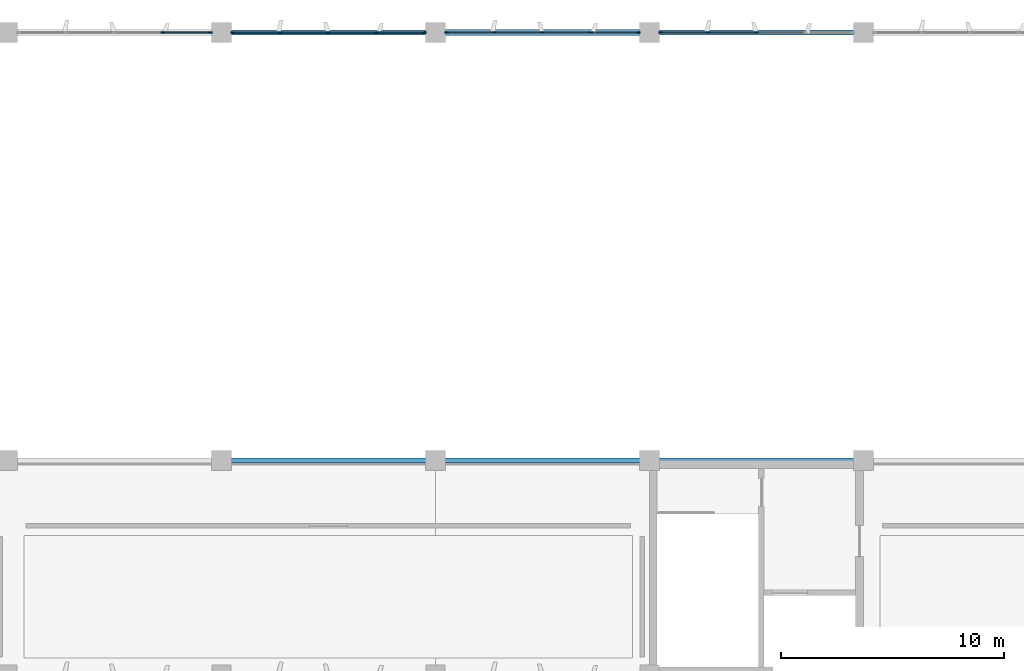
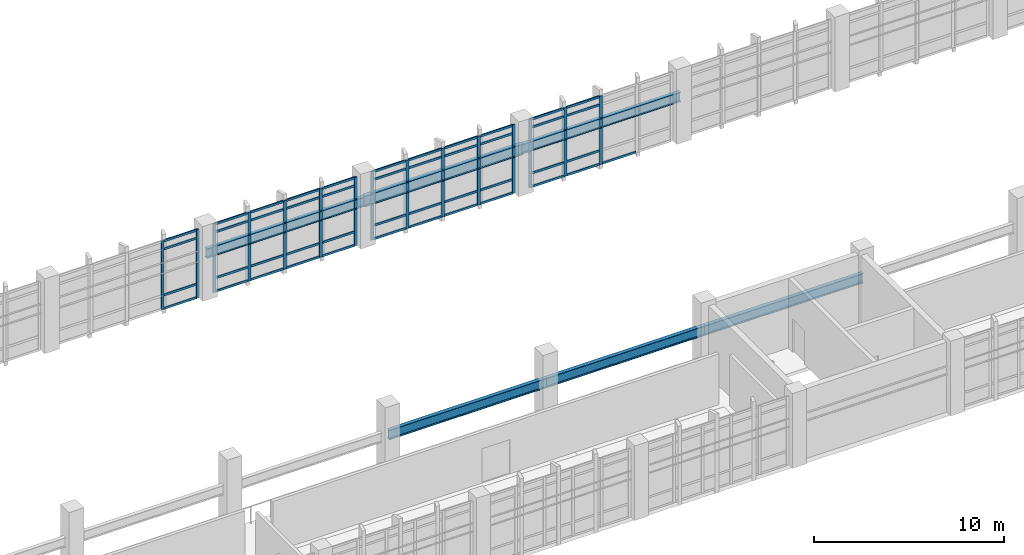
# One storey, part 30 of 86: 60 members, 6 beams, 4 elements without a shape of their own.
"""IFC4 building model written with IfcOpenShell, lengths in metres."""

from ifc_helpers import new_model, si_unit, direction, frame, origin, origin_2d, place, context, subcontext, project, spatial, rectangle, i_section, extrude, material, layer, layer_set, material_profile, profile_set, type_object, element, aggregate, save


model = new_model("IFC4")

# Units and contexts
model_context = context("Model", 3, precision=1e-05, world=origin(), true_north=direction((0.0, 1.0)))
body_context = subcontext(model_context, "Body", "Model", "MODEL_VIEW")
ifc_project = project(units=[si_unit("LENGTHUNIT", "METRE"), si_unit("AREAUNIT", "SQUARE_METRE"), si_unit("VOLUMEUNIT", "CUBIC_METRE"), si_unit("PLANEANGLEUNIT", "RADIAN"), si_unit("MASSUNIT", "GRAM", prefix="KILO")], contexts=[model_context])

# Site, building, storey
site_placement = place(None, origin())
site = spatial("IfcSite", under=ifc_project, at=site_placement, CompositionType="ELEMENT")
building_placement = place(site_placement, origin())
building = spatial("IfcBuilding", under=site, at=building_placement, Name="Kolvemor Railside Polytechnic", CompositionType="ELEMENT")
storey_placement = place(building_placement, frame((0.0, 0.0, 5.39990234375)))
storey = spatial("IfcBuildingStorey", under=building, at=storey_placement, Name="L01", CompositionType="ELEMENT", Elevation=5.39990234375)

# Beams
ifc_material_1 = material(Name="Steel S355", Category="steel")
ifc_material_profile_1 = material_profile(ifc_material_1, i_section(OverallWidth=0.256103515625, OverallDepth=0.693115234375, WebThickness=0.014404296875, FlangeThickness=0.023681640625, FilletRadius=0.01611328125, at=origin_2d()), Name="W690x170")
ifc_profile_set_1 = profile_set([ifc_material_profile_1], Name="Steel S355")
beam_type_1 = type_object("IfcBeamType", Name="BM-ST-CRANE0", PredefinedType="BEAM", material=ifc_profile_set_1)
beam_1_placement = place(storey_placement, frame((76.800048828125, 120.0, 2.691650390625), z_axis=(1.0, 0.0, 0.0), x_axis=(0.0, 1.0, 0.0)))
element("IfcBeam", 1, at=beam_1_placement, inside=storey, type_object=beam_type_1, Name="Crane Runway Girder CRG-N07", PredefinedType="BEAM", context=body_context, shape_type="SweptSolid", body=[
    extrude(i_section(OverallWidth=0.256103515625, OverallDepth=0.693115234375, WebThickness=0.014404296875, FlangeThickness=0.023681640625, FilletRadius=0.01611328125, at=origin_2d()), origin(), (0.0, 0.0, 1.0), 9.599853515625),
])
ifc_material_2 = material(Name="Steel S355", Category="steel")
ifc_material_profile_2 = material_profile(ifc_material_2, i_section(OverallWidth=0.22998046875, OverallDepth=0.616943359375, WebThickness=0.01318359375, FlangeThickness=0.022216796875, FilletRadius=0.01611328125, at=origin_2d()), Name="W610x140")
ifc_profile_set_2 = profile_set([ifc_material_profile_2], Name="Steel S355")
beam_type_2 = type_object("IfcBeamType", Name="BM-ST-CRANE1", PredefinedType="BEAM", material=ifc_profile_set_2)
for number, where, z_axis, x_axis, name in (
    (2, (67.199951171875, 100.800048828125, 2.691650390625), (1.0, 0.0, 0.0), (0.0, 1.0, 0.0), "Crane Runway Girder CRG-S06"),
    (3, (67.199951171875, 120.0, 2.691650390625), (1.0, 0.0, 0.0), (0.0, 1.0, 0.0), "Crane Runway Girder CRG-N06"),
):
    element("IfcBeam", number, at=place(storey_placement, frame(where, z_axis=z_axis, x_axis=x_axis)), inside=storey, type_object=beam_type_2, Name=name, PredefinedType="BEAM", context=body_context, shape_type="SweptSolid", body=[
        extrude(i_section(OverallWidth=0.22998046875, OverallDepth=0.616943359375, WebThickness=0.01318359375, FlangeThickness=0.022216796875, FilletRadius=0.01611328125, at=origin_2d()), origin(), (0.0, 0.0, 1.0), 9.60009765625),
    ])
beam_2_placement = place(storey_placement, frame((76.800048828125, 100.800048828125, 2.691650390625), z_axis=(1.0, 0.0, 0.0), x_axis=(0.0, 1.0, 0.0)))
element("IfcBeam", 4, at=beam_2_placement, inside=storey, type_object=beam_type_2, Name="Crane Runway Girder CRG-S07", PredefinedType="BEAM", context=body_context, shape_type="SweptSolid", body=[
    extrude(i_section(OverallWidth=0.22998046875, OverallDepth=0.616943359375, WebThickness=0.01318359375, FlangeThickness=0.022216796875, FilletRadius=0.01611328125, at=origin_2d()), origin(), (0.0, 0.0, 1.0), 9.599853515625),
])
for number, where, z_axis, x_axis, name in (
    (5, (86.39990234375, 100.800048828125, 2.691650390625), (1.0, 0.0, 0.0), (0.0, 1.0, 0.0), "Crane Runway Girder CRG-S08"),
    (6, (86.39990234375, 120.0, 2.691650390625), (1.0, 0.0, 0.0), (0.0, 1.0, 0.0), "Crane Runway Girder CRG-N08"),
):
    element("IfcBeam", number, at=place(storey_placement, frame(where, z_axis=z_axis, x_axis=x_axis)), inside=storey, type_object=beam_type_2, Name=name, PredefinedType="BEAM", context=body_context, shape_type="SweptSolid", body=[
        extrude(i_section(OverallWidth=0.22998046875, OverallDepth=0.616943359375, WebThickness=0.01318359375, FlangeThickness=0.022216796875, FilletRadius=0.01611328125, at=origin_2d()), origin(), (0.0, 0.0, 1.0), 9.60009765625),
    ])

# Curtain wall, members
ifc_material_3 = material(Name="Anodised marine aluminium and laminated low-E glass", Category="aluminium")
ifc_layer = layer(ifc_material_3, 0.179931640625, Name="CW-UNIT-WKS")
ifc_layer_set = layer_set([ifc_layer], Name="Anodised marine aluminium and laminated low-E glass")
curtain_wall_type = type_object("IfcCurtainWallType", Name="CW-UNIT-WKS", PredefinedType="USERDEFINED", material=ifc_layer_set)
curtain_wall_1_placement = place(storey_placement, origin())
curtain_wall_1 = element("IfcCurtainWall", 7, at=curtain_wall_1_placement, inside=storey, type_object=curtain_wall_type, Name="Curtain Wall L01-008", ObjectType="UNITISED CURTAIN WALL", PredefinedType="USERDEFINED")
ifc_material_4 = material(Name="Anodised marine aluminium 6063-T6", Category="aluminium")
ifc_material_profile_3 = material_profile(ifc_material_4, rectangle(XDim=0.074951171875, YDim=0.179931640625, at=origin_2d()), Name="CW-MUL-75x180")
ifc_profile_set_3 = profile_set([ifc_material_profile_3], Name="Anodised marine aluminium 6063-T6")
member_type_1 = type_object("IfcMemberType", Name="CWM-75x180", PredefinedType="MULLION", material=ifc_profile_set_3)
member_1_placement = place(storey_placement, frame((66.6923828125, 120.0, 0.0), z_axis=(0.0, 0.0, 1.0), x_axis=(0.0, -1.0, 0.0)))
member_1 = element("IfcMember", 8, at=member_1_placement, type_object=member_type_1, Name="CW-WKS mullion 1", PredefinedType="MULLION", context=body_context, shape_type="SweptSolid", body=[
    extrude(rectangle(XDim=0.074951171875, YDim=0.179931640625, at=origin_2d()), origin(), (0.0, 0.0, 1.0), 4.400146484375),
])
member_2_placement = place(storey_placement, frame((64.56494140625, 120.0, 0.0), z_axis=(0.0, 0.0, 1.0), x_axis=(0.0, -1.0, 0.0)))
member_2 = element("IfcMember", 9, at=member_2_placement, type_object=member_type_1, Name="CW-WKS mullion 2", PredefinedType="MULLION", context=body_context, shape_type="SweptSolid", body=[
    extrude(rectangle(XDim=0.074951171875, YDim=0.179931640625, at=origin_2d()), origin(), (0.0, 0.0, 1.0), 4.400146484375),
])

curtain_wall_2_placement = place(storey_placement, origin())
curtain_wall_2 = element("IfcCurtainWall", 10, at=curtain_wall_2_placement, inside=storey, type_object=curtain_wall_type, Name="Curtain Wall L01-010", ObjectType="UNITISED CURTAIN WALL", PredefinedType="USERDEFINED")
member_3_placement = place(storey_placement, frame((76.29248046875, 120.0, 0.0), z_axis=(0.0, 0.0, 1.0), x_axis=(0.0, -1.0, 0.0)))
member_3 = element("IfcMember", 11, at=member_3_placement, type_object=member_type_1, Name="CW-WKS mullion 1", PredefinedType="MULLION", context=body_context, shape_type="SweptSolid", body=[
    extrude(rectangle(XDim=0.074951171875, YDim=0.179931640625, at=origin_2d()), origin(), (0.0, 0.0, 1.0), 4.400146484375),
])
member_4_placement = place(storey_placement, frame((74.1650390625, 120.0, 0.0), z_axis=(0.0, 0.0, 1.0), x_axis=(0.0, -1.0, 0.0)))
member_4 = element("IfcMember", 12, at=member_4_placement, type_object=member_type_1, Name="CW-WKS mullion 2", PredefinedType="MULLION", context=body_context, shape_type="SweptSolid", body=[
    extrude(rectangle(XDim=0.074951171875, YDim=0.179931640625, at=origin_2d()), origin(), (0.0, 0.0, 1.0), 4.400146484375),
])
member_5_placement = place(storey_placement, frame((72.0, 120.0, 0.0), z_axis=(0.0, 0.0, 1.0), x_axis=(0.0, -1.0, 0.0)))
member_5 = element("IfcMember", 13, at=member_5_placement, type_object=member_type_1, Name="CW-WKS mullion 3", PredefinedType="MULLION", context=body_context, shape_type="SweptSolid", body=[
    extrude(rectangle(XDim=0.074951171875, YDim=0.179931640625, at=origin_2d()), origin(), (0.0, 0.0, 1.0), 4.400146484375),
])
member_6_placement = place(storey_placement, frame((69.8349609375, 120.0, 0.0), z_axis=(0.0, 0.0, 1.0), x_axis=(0.0, -1.0, 0.0)))
member_6 = element("IfcMember", 14, at=member_6_placement, type_object=member_type_1, Name="CW-WKS mullion 4", PredefinedType="MULLION", context=body_context, shape_type="SweptSolid", body=[
    extrude(rectangle(XDim=0.074951171875, YDim=0.179931640625, at=origin_2d()), origin(), (0.0, 0.0, 1.0), 4.400146484375),
])
member_7_placement = place(storey_placement, frame((67.70751953125, 120.0, 0.0), z_axis=(0.0, 0.0, 1.0), x_axis=(0.0, -1.0, 0.0)))
member_7 = element("IfcMember", 15, at=member_7_placement, type_object=member_type_1, Name="CW-WKS mullion 5", PredefinedType="MULLION", context=body_context, shape_type="SweptSolid", body=[
    extrude(rectangle(XDim=0.074951171875, YDim=0.179931640625, at=origin_2d()), origin(), (0.0, 0.0, 1.0), 4.400146484375),
])

curtain_wall_3_placement = place(storey_placement, origin())
curtain_wall_3 = element("IfcCurtainWall", 16, at=curtain_wall_3_placement, inside=storey, type_object=curtain_wall_type, Name="Curtain Wall L01-013", ObjectType="UNITISED CURTAIN WALL", PredefinedType="USERDEFINED")
member_8_placement = place(storey_placement, frame((85.892578125, 120.0, 0.0), z_axis=(0.0, 0.0, 1.0), x_axis=(0.0, -1.0, 0.0)))
member_8 = element("IfcMember", 17, at=member_8_placement, type_object=member_type_1, Name="CW-WKS mullion 1", PredefinedType="MULLION", context=body_context, shape_type="SweptSolid", body=[
    extrude(rectangle(XDim=0.074951171875, YDim=0.179931640625, at=origin_2d()), origin(), (0.0, 0.0, 1.0), 4.400146484375),
])
member_9_placement = place(storey_placement, frame((83.764892578125, 120.0, 0.0), z_axis=(0.0, 0.0, 1.0), x_axis=(0.0, -1.0, 0.0)))
member_9 = element("IfcMember", 18, at=member_9_placement, type_object=member_type_1, Name="CW-WKS mullion 2", PredefinedType="MULLION", context=body_context, shape_type="SweptSolid", body=[
    extrude(rectangle(XDim=0.074951171875, YDim=0.179931640625, at=origin_2d()), origin(), (0.0, 0.0, 1.0), 4.400146484375),
])
member_10_placement = place(storey_placement, frame((81.60009765625, 120.0, 0.0), z_axis=(0.0, 0.0, 1.0), x_axis=(0.0, -1.0, 0.0)))
member_10 = element("IfcMember", 19, at=member_10_placement, type_object=member_type_1, Name="CW-WKS mullion 3", PredefinedType="MULLION", context=body_context, shape_type="SweptSolid", body=[
    extrude(rectangle(XDim=0.074951171875, YDim=0.179931640625, at=origin_2d()), origin(), (0.0, 0.0, 1.0), 4.400146484375),
])
member_11_placement = place(storey_placement, frame((79.43505859375, 120.0, 0.0), z_axis=(0.0, 0.0, 1.0), x_axis=(0.0, -1.0, 0.0)))
member_11 = element("IfcMember", 20, at=member_11_placement, type_object=member_type_1, Name="CW-WKS mullion 4", PredefinedType="MULLION", context=body_context, shape_type="SweptSolid", body=[
    extrude(rectangle(XDim=0.074951171875, YDim=0.179931640625, at=origin_2d()), origin(), (0.0, 0.0, 1.0), 4.400146484375),
])
member_12_placement = place(storey_placement, frame((77.3076171875, 120.0, 0.0), z_axis=(0.0, 0.0, 1.0), x_axis=(0.0, -1.0, 0.0)))
member_12 = element("IfcMember", 21, at=member_12_placement, type_object=member_type_1, Name="CW-WKS mullion 5", PredefinedType="MULLION", context=body_context, shape_type="SweptSolid", body=[
    extrude(rectangle(XDim=0.074951171875, YDim=0.179931640625, at=origin_2d()), origin(), (0.0, 0.0, 1.0), 4.400146484375),
])

curtain_wall_4_placement = place(storey_placement, origin())
curtain_wall_4 = element("IfcCurtainWall", 22, at=curtain_wall_4_placement, inside=storey, type_object=curtain_wall_type, Name="Curtain Wall L01-016", ObjectType="UNITISED CURTAIN WALL", PredefinedType="USERDEFINED")
member_13_placement = place(storey_placement, frame((91.199951171875, 120.0, 0.0), z_axis=(0.0, 0.0, 1.0), x_axis=(0.0, -1.0, 0.0)))
member_13 = element("IfcMember", 23, at=member_13_placement, type_object=member_type_1, Name="CW-WKS mullion 3", PredefinedType="MULLION", context=body_context, shape_type="SweptSolid", body=[
    extrude(rectangle(XDim=0.074951171875, YDim=0.179931640625, at=origin_2d()), origin(), (0.0, 0.0, 1.0), 4.400146484375),
])
member_14_placement = place(storey_placement, frame((89.034912109375, 120.0, 0.0), z_axis=(0.0, 0.0, 1.0), x_axis=(0.0, -1.0, 0.0)))
member_14 = element("IfcMember", 24, at=member_14_placement, type_object=member_type_1, Name="CW-WKS mullion 4", PredefinedType="MULLION", context=body_context, shape_type="SweptSolid", body=[
    extrude(rectangle(XDim=0.074951171875, YDim=0.179931640625, at=origin_2d()), origin(), (0.0, 0.0, 1.0), 4.400146484375),
])
member_15_placement = place(storey_placement, frame((86.907470703125, 120.0, 0.0), z_axis=(0.0, 0.0, 1.0), x_axis=(0.0, -1.0, 0.0)))
member_15 = element("IfcMember", 25, at=member_15_placement, type_object=member_type_1, Name="CW-WKS mullion 5", PredefinedType="MULLION", context=body_context, shape_type="SweptSolid", body=[
    extrude(rectangle(XDim=0.074951171875, YDim=0.179931640625, at=origin_2d()), origin(), (0.0, 0.0, 1.0), 4.400146484375),
])

# Member
ifc_material_5 = material(Name="Anodised marine aluminium 6063-T6", Category="aluminium")
ifc_material_profile_4 = material_profile(ifc_material_5, rectangle(XDim=0.074951171875, YDim=0.139892578125, at=origin_2d()), Name="CW-TRN-75x140")
ifc_profile_set_4 = profile_set([ifc_material_profile_4], Name="Anodised marine aluminium 6063-T6")
member_type_2 = type_object("IfcMemberType", Name="CWT-75x140", PredefinedType="USERDEFINED", material=ifc_profile_set_4)
member_16_placement = place(storey_placement, frame((66.655029296875, 120.0, 0.03759765625), z_axis=(-1.0, 0.0, 0.0), x_axis=(0.0, -1.0, 0.0)))
member_16 = element("IfcMember", 26, at=member_16_placement, type_object=member_type_2, Name="CW-WKS transom 1.1", ObjectType="TRANSOM", PredefinedType="USERDEFINED", context=body_context, shape_type="SweptSolid", body=[
    extrude(rectangle(XDim=0.074951171875, YDim=0.139892578125, at=origin_2d()), origin(), (0.0, 0.0, 1.0), 2.052490234375),
])

member_17_placement = place(storey_placement, frame((66.655029296875, 120.0, 0.900146484375), z_axis=(-1.0, 0.0, 0.0), x_axis=(0.0, -1.0, 0.0)))
member_17 = element("IfcMember", 27, at=member_17_placement, type_object=member_type_2, Name="CW-WKS transom 1.2", ObjectType="TRANSOM", PredefinedType="USERDEFINED", context=body_context, shape_type="SweptSolid", body=[
    extrude(rectangle(XDim=0.074951171875, YDim=0.139892578125, at=origin_2d()), origin(), (0.0, 0.0, 1.0), 2.052490234375),
])

member_18_placement = place(storey_placement, frame((66.655029296875, 120.0, 3.85009765625), z_axis=(-1.0, 0.0, 0.0), x_axis=(0.0, -1.0, 0.0)))
member_18 = element("IfcMember", 28, at=member_18_placement, type_object=member_type_2, Name="CW-WKS transom 1.3", ObjectType="TRANSOM", PredefinedType="USERDEFINED", context=body_context, shape_type="SweptSolid", body=[
    extrude(rectangle(XDim=0.074951171875, YDim=0.139892578125, at=origin_2d()), origin(), (0.0, 0.0, 1.0), 2.052490234375),
])

member_19_placement = place(storey_placement, frame((66.655029296875, 120.0, 4.362548828125), z_axis=(-1.0, 0.0, 0.0), x_axis=(0.0, -1.0, 0.0)))
member_19 = element("IfcMember", 29, at=member_19_placement, type_object=member_type_2, Name="CW-WKS transom 1.4", ObjectType="TRANSOM", PredefinedType="USERDEFINED", context=body_context, shape_type="SweptSolid", body=[
    extrude(rectangle(XDim=0.074951171875, YDim=0.139892578125, at=origin_2d()), origin(), (0.0, 0.0, 1.0), 2.052490234375),
])

aggregate(curtain_wall_1, [member_1, member_2, member_16, member_17, member_18, member_19])

member_20_placement = place(storey_placement, frame((76.2548828125, 120.0, 0.03759765625), z_axis=(-1.0, 0.0, 0.0), x_axis=(0.0, -1.0, 0.0)))
member_20 = element("IfcMember", 30, at=member_20_placement, type_object=member_type_2, Name="CW-WKS transom 1.1", ObjectType="TRANSOM", PredefinedType="USERDEFINED", context=body_context, shape_type="SweptSolid", body=[
    extrude(rectangle(XDim=0.074951171875, YDim=0.139892578125, at=origin_2d()), origin(), (0.0, 0.0, 1.0), 2.052490234375),
])

member_21_placement = place(storey_placement, frame((76.2548828125, 120.0, 0.900146484375), z_axis=(-1.0, 0.0, 0.0), x_axis=(0.0, -1.0, 0.0)))
member_21 = element("IfcMember", 31, at=member_21_placement, type_object=member_type_2, Name="CW-WKS transom 1.2", ObjectType="TRANSOM", PredefinedType="USERDEFINED", context=body_context, shape_type="SweptSolid", body=[
    extrude(rectangle(XDim=0.074951171875, YDim=0.139892578125, at=origin_2d()), origin(), (0.0, 0.0, 1.0), 2.052490234375),
])

member_22_placement = place(storey_placement, frame((76.2548828125, 120.0, 3.85009765625), z_axis=(-1.0, 0.0, 0.0), x_axis=(0.0, -1.0, 0.0)))
member_22 = element("IfcMember", 32, at=member_22_placement, type_object=member_type_2, Name="CW-WKS transom 1.3", ObjectType="TRANSOM", PredefinedType="USERDEFINED", context=body_context, shape_type="SweptSolid", body=[
    extrude(rectangle(XDim=0.074951171875, YDim=0.139892578125, at=origin_2d()), origin(), (0.0, 0.0, 1.0), 2.052490234375),
])

member_23_placement = place(storey_placement, frame((76.2548828125, 120.0, 4.362548828125), z_axis=(-1.0, 0.0, 0.0), x_axis=(0.0, -1.0, 0.0)))
member_23 = element("IfcMember", 33, at=member_23_placement, type_object=member_type_2, Name="CW-WKS transom 1.4", ObjectType="TRANSOM", PredefinedType="USERDEFINED", context=body_context, shape_type="SweptSolid", body=[
    extrude(rectangle(XDim=0.074951171875, YDim=0.139892578125, at=origin_2d()), origin(), (0.0, 0.0, 1.0), 2.052490234375),
])

member_24_placement = place(storey_placement, frame((74.12744140625, 120.0, 0.03759765625), z_axis=(-1.0, 0.0, 0.0), x_axis=(0.0, -1.0, 0.0)))
member_24 = element("IfcMember", 34, at=member_24_placement, type_object=member_type_2, Name="CW-WKS transom 2.1", ObjectType="TRANSOM", PredefinedType="USERDEFINED", context=body_context, shape_type="SweptSolid", body=[
    extrude(rectangle(XDim=0.074951171875, YDim=0.139892578125, at=origin_2d()), origin(), (0.0, 0.0, 1.0), 2.08984375),
])

member_25_placement = place(storey_placement, frame((74.12744140625, 120.0, 0.900146484375), z_axis=(-1.0, 0.0, 0.0), x_axis=(0.0, -1.0, 0.0)))
member_25 = element("IfcMember", 35, at=member_25_placement, type_object=member_type_2, Name="CW-WKS transom 2.2", ObjectType="TRANSOM", PredefinedType="USERDEFINED", context=body_context, shape_type="SweptSolid", body=[
    extrude(rectangle(XDim=0.074951171875, YDim=0.139892578125, at=origin_2d()), origin(), (0.0, 0.0, 1.0), 2.08984375),
])

member_26_placement = place(storey_placement, frame((74.12744140625, 120.0, 3.85009765625), z_axis=(-1.0, 0.0, 0.0), x_axis=(0.0, -1.0, 0.0)))
member_26 = element("IfcMember", 36, at=member_26_placement, type_object=member_type_2, Name="CW-WKS transom 2.3", ObjectType="TRANSOM", PredefinedType="USERDEFINED", context=body_context, shape_type="SweptSolid", body=[
    extrude(rectangle(XDim=0.074951171875, YDim=0.139892578125, at=origin_2d()), origin(), (0.0, 0.0, 1.0), 2.08984375),
])

member_27_placement = place(storey_placement, frame((74.12744140625, 120.0, 4.362548828125), z_axis=(-1.0, 0.0, 0.0), x_axis=(0.0, -1.0, 0.0)))
member_27 = element("IfcMember", 37, at=member_27_placement, type_object=member_type_2, Name="CW-WKS transom 2.4", ObjectType="TRANSOM", PredefinedType="USERDEFINED", context=body_context, shape_type="SweptSolid", body=[
    extrude(rectangle(XDim=0.074951171875, YDim=0.139892578125, at=origin_2d()), origin(), (0.0, 0.0, 1.0), 2.08984375),
])

member_28_placement = place(storey_placement, frame((71.96240234375, 120.0, 0.03759765625), z_axis=(-1.0, 0.0, 0.0), x_axis=(0.0, -1.0, 0.0)))
member_28 = element("IfcMember", 38, at=member_28_placement, type_object=member_type_2, Name="CW-WKS transom 3.1", ObjectType="TRANSOM", PredefinedType="USERDEFINED", context=body_context, shape_type="SweptSolid", body=[
    extrude(rectangle(XDim=0.074951171875, YDim=0.139892578125, at=origin_2d()), origin(), (0.0, 0.0, 1.0), 2.08984375),
])

member_29_placement = place(storey_placement, frame((71.96240234375, 120.0, 0.900146484375), z_axis=(-1.0, 0.0, 0.0), x_axis=(0.0, -1.0, 0.0)))
member_29 = element("IfcMember", 39, at=member_29_placement, type_object=member_type_2, Name="CW-WKS transom 3.2", ObjectType="TRANSOM", PredefinedType="USERDEFINED", context=body_context, shape_type="SweptSolid", body=[
    extrude(rectangle(XDim=0.074951171875, YDim=0.139892578125, at=origin_2d()), origin(), (0.0, 0.0, 1.0), 2.08984375),
])

member_30_placement = place(storey_placement, frame((71.96240234375, 120.0, 3.85009765625), z_axis=(-1.0, 0.0, 0.0), x_axis=(0.0, -1.0, 0.0)))
member_30 = element("IfcMember", 40, at=member_30_placement, type_object=member_type_2, Name="CW-WKS transom 3.3", ObjectType="TRANSOM", PredefinedType="USERDEFINED", context=body_context, shape_type="SweptSolid", body=[
    extrude(rectangle(XDim=0.074951171875, YDim=0.139892578125, at=origin_2d()), origin(), (0.0, 0.0, 1.0), 2.08984375),
])

member_31_placement = place(storey_placement, frame((71.96240234375, 120.0, 4.362548828125), z_axis=(-1.0, 0.0, 0.0), x_axis=(0.0, -1.0, 0.0)))
member_31 = element("IfcMember", 41, at=member_31_placement, type_object=member_type_2, Name="CW-WKS transom 3.4", ObjectType="TRANSOM", PredefinedType="USERDEFINED", context=body_context, shape_type="SweptSolid", body=[
    extrude(rectangle(XDim=0.074951171875, YDim=0.139892578125, at=origin_2d()), origin(), (0.0, 0.0, 1.0), 2.08984375),
])

member_32_placement = place(storey_placement, frame((69.797607421875, 120.0, 0.03759765625), z_axis=(-1.0, 0.0, 0.0), x_axis=(0.0, -1.0, 0.0)))
member_32 = element("IfcMember", 42, at=member_32_placement, type_object=member_type_2, Name="CW-WKS transom 4.1", ObjectType="TRANSOM", PredefinedType="USERDEFINED", context=body_context, shape_type="SweptSolid", body=[
    extrude(rectangle(XDim=0.074951171875, YDim=0.139892578125, at=origin_2d()), origin(), (0.0, 0.0, 1.0), 2.052490234375),
])

member_33_placement = place(storey_placement, frame((69.797607421875, 120.0, 0.900146484375), z_axis=(-1.0, 0.0, 0.0), x_axis=(0.0, -1.0, 0.0)))
member_33 = element("IfcMember", 43, at=member_33_placement, type_object=member_type_2, Name="CW-WKS transom 4.2", ObjectType="TRANSOM", PredefinedType="USERDEFINED", context=body_context, shape_type="SweptSolid", body=[
    extrude(rectangle(XDim=0.074951171875, YDim=0.139892578125, at=origin_2d()), origin(), (0.0, 0.0, 1.0), 2.052490234375),
])

member_34_placement = place(storey_placement, frame((69.797607421875, 120.0, 3.85009765625), z_axis=(-1.0, 0.0, 0.0), x_axis=(0.0, -1.0, 0.0)))
member_34 = element("IfcMember", 44, at=member_34_placement, type_object=member_type_2, Name="CW-WKS transom 4.3", ObjectType="TRANSOM", PredefinedType="USERDEFINED", context=body_context, shape_type="SweptSolid", body=[
    extrude(rectangle(XDim=0.074951171875, YDim=0.139892578125, at=origin_2d()), origin(), (0.0, 0.0, 1.0), 2.052490234375),
])

member_35_placement = place(storey_placement, frame((69.797607421875, 120.0, 4.362548828125), z_axis=(-1.0, 0.0, 0.0), x_axis=(0.0, -1.0, 0.0)))
member_35 = element("IfcMember", 45, at=member_35_placement, type_object=member_type_2, Name="CW-WKS transom 4.4", ObjectType="TRANSOM", PredefinedType="USERDEFINED", context=body_context, shape_type="SweptSolid", body=[
    extrude(rectangle(XDim=0.074951171875, YDim=0.139892578125, at=origin_2d()), origin(), (0.0, 0.0, 1.0), 2.052490234375),
])

aggregate(curtain_wall_2, [member_3, member_4, member_5, member_6, member_7, member_20, member_21, member_22, member_23, member_24, member_25, member_26, member_27, member_28, member_29, member_30, member_31, member_32, member_33, member_34, member_35])

member_36_placement = place(storey_placement, frame((85.85498046875, 120.0, 0.03759765625), z_axis=(-1.0, 0.0, 0.0), x_axis=(0.0, -1.0, 0.0)))
member_36 = element("IfcMember", 46, at=member_36_placement, type_object=member_type_2, Name="CW-WKS transom 1.1", ObjectType="TRANSOM", PredefinedType="USERDEFINED", context=body_context, shape_type="SweptSolid", body=[
    extrude(rectangle(XDim=0.074951171875, YDim=0.139892578125, at=origin_2d()), origin(), (0.0, 0.0, 1.0), 2.052490234375),
])

member_37_placement = place(storey_placement, frame((85.85498046875, 120.0, 0.900146484375), z_axis=(-1.0, 0.0, 0.0), x_axis=(0.0, -1.0, 0.0)))
member_37 = element("IfcMember", 47, at=member_37_placement, type_object=member_type_2, Name="CW-WKS transom 1.2", ObjectType="TRANSOM", PredefinedType="USERDEFINED", context=body_context, shape_type="SweptSolid", body=[
    extrude(rectangle(XDim=0.074951171875, YDim=0.139892578125, at=origin_2d()), origin(), (0.0, 0.0, 1.0), 2.052490234375),
])

member_38_placement = place(storey_placement, frame((85.85498046875, 120.0, 3.85009765625), z_axis=(-1.0, 0.0, 0.0), x_axis=(0.0, -1.0, 0.0)))
member_38 = element("IfcMember", 48, at=member_38_placement, type_object=member_type_2, Name="CW-WKS transom 1.3", ObjectType="TRANSOM", PredefinedType="USERDEFINED", context=body_context, shape_type="SweptSolid", body=[
    extrude(rectangle(XDim=0.074951171875, YDim=0.139892578125, at=origin_2d()), origin(), (0.0, 0.0, 1.0), 2.052490234375),
])

member_39_placement = place(storey_placement, frame((85.85498046875, 120.0, 4.362548828125), z_axis=(-1.0, 0.0, 0.0), x_axis=(0.0, -1.0, 0.0)))
member_39 = element("IfcMember", 49, at=member_39_placement, type_object=member_type_2, Name="CW-WKS transom 1.4", ObjectType="TRANSOM", PredefinedType="USERDEFINED", context=body_context, shape_type="SweptSolid", body=[
    extrude(rectangle(XDim=0.074951171875, YDim=0.139892578125, at=origin_2d()), origin(), (0.0, 0.0, 1.0), 2.052490234375),
])

member_40_placement = place(storey_placement, frame((83.7275390625, 120.0, 0.03759765625), z_axis=(-1.0, 0.0, 0.0), x_axis=(0.0, -1.0, 0.0)))
member_40 = element("IfcMember", 50, at=member_40_placement, type_object=member_type_2, Name="CW-WKS transom 2.1", ObjectType="TRANSOM", PredefinedType="USERDEFINED", context=body_context, shape_type="SweptSolid", body=[
    extrude(rectangle(XDim=0.074951171875, YDim=0.139892578125, at=origin_2d()), origin(), (0.0, 0.0, 1.0), 2.090087890625),
])

member_41_placement = place(storey_placement, frame((83.7275390625, 120.0, 0.900146484375), z_axis=(-1.0, 0.0, 0.0), x_axis=(0.0, -1.0, 0.0)))
member_41 = element("IfcMember", 51, at=member_41_placement, type_object=member_type_2, Name="CW-WKS transom 2.2", ObjectType="TRANSOM", PredefinedType="USERDEFINED", context=body_context, shape_type="SweptSolid", body=[
    extrude(rectangle(XDim=0.074951171875, YDim=0.139892578125, at=origin_2d()), origin(), (0.0, 0.0, 1.0), 2.090087890625),
])

member_42_placement = place(storey_placement, frame((83.7275390625, 120.0, 3.85009765625), z_axis=(-1.0, 0.0, 0.0), x_axis=(0.0, -1.0, 0.0)))
member_42 = element("IfcMember", 52, at=member_42_placement, type_object=member_type_2, Name="CW-WKS transom 2.3", ObjectType="TRANSOM", PredefinedType="USERDEFINED", context=body_context, shape_type="SweptSolid", body=[
    extrude(rectangle(XDim=0.074951171875, YDim=0.139892578125, at=origin_2d()), origin(), (0.0, 0.0, 1.0), 2.090087890625),
])

member_43_placement = place(storey_placement, frame((83.7275390625, 120.0, 4.362548828125), z_axis=(-1.0, 0.0, 0.0), x_axis=(0.0, -1.0, 0.0)))
member_43 = element("IfcMember", 53, at=member_43_placement, type_object=member_type_2, Name="CW-WKS transom 2.4", ObjectType="TRANSOM", PredefinedType="USERDEFINED", context=body_context, shape_type="SweptSolid", body=[
    extrude(rectangle(XDim=0.074951171875, YDim=0.139892578125, at=origin_2d()), origin(), (0.0, 0.0, 1.0), 2.090087890625),
])

member_44_placement = place(storey_placement, frame((81.5625, 120.0, 0.03759765625), z_axis=(-1.0, 0.0, 0.0), x_axis=(0.0, -1.0, 0.0)))
member_44 = element("IfcMember", 54, at=member_44_placement, type_object=member_type_2, Name="CW-WKS transom 3.1", ObjectType="TRANSOM", PredefinedType="USERDEFINED", context=body_context, shape_type="SweptSolid", body=[
    extrude(rectangle(XDim=0.074951171875, YDim=0.139892578125, at=origin_2d()), origin(), (0.0, 0.0, 1.0), 2.090087890625),
])

member_45_placement = place(storey_placement, frame((81.5625, 120.0, 0.900146484375), z_axis=(-1.0, 0.0, 0.0), x_axis=(0.0, -1.0, 0.0)))
member_45 = element("IfcMember", 55, at=member_45_placement, type_object=member_type_2, Name="CW-WKS transom 3.2", ObjectType="TRANSOM", PredefinedType="USERDEFINED", context=body_context, shape_type="SweptSolid", body=[
    extrude(rectangle(XDim=0.074951171875, YDim=0.139892578125, at=origin_2d()), origin(), (0.0, 0.0, 1.0), 2.090087890625),
])

member_46_placement = place(storey_placement, frame((81.5625, 120.0, 3.85009765625), z_axis=(-1.0, 0.0, 0.0), x_axis=(0.0, -1.0, 0.0)))
member_46 = element("IfcMember", 56, at=member_46_placement, type_object=member_type_2, Name="CW-WKS transom 3.3", ObjectType="TRANSOM", PredefinedType="USERDEFINED", context=body_context, shape_type="SweptSolid", body=[
    extrude(rectangle(XDim=0.074951171875, YDim=0.139892578125, at=origin_2d()), origin(), (0.0, 0.0, 1.0), 2.090087890625),
])

member_47_placement = place(storey_placement, frame((81.5625, 120.0, 4.362548828125), z_axis=(-1.0, 0.0, 0.0), x_axis=(0.0, -1.0, 0.0)))
member_47 = element("IfcMember", 57, at=member_47_placement, type_object=member_type_2, Name="CW-WKS transom 3.4", ObjectType="TRANSOM", PredefinedType="USERDEFINED", context=body_context, shape_type="SweptSolid", body=[
    extrude(rectangle(XDim=0.074951171875, YDim=0.139892578125, at=origin_2d()), origin(), (0.0, 0.0, 1.0), 2.090087890625),
])

member_48_placement = place(storey_placement, frame((79.3974609375, 120.0, 0.03759765625), z_axis=(-1.0, 0.0, 0.0), x_axis=(0.0, -1.0, 0.0)))
member_48 = element("IfcMember", 58, at=member_48_placement, type_object=member_type_2, Name="CW-WKS transom 4.1", ObjectType="TRANSOM", PredefinedType="USERDEFINED", context=body_context, shape_type="SweptSolid", body=[
    extrude(rectangle(XDim=0.074951171875, YDim=0.139892578125, at=origin_2d()), origin(), (0.0, 0.0, 1.0), 2.052490234375),
])

member_49_placement = place(storey_placement, frame((79.3974609375, 120.0, 0.900146484375), z_axis=(-1.0, 0.0, 0.0), x_axis=(0.0, -1.0, 0.0)))
member_49 = element("IfcMember", 59, at=member_49_placement, type_object=member_type_2, Name="CW-WKS transom 4.2", ObjectType="TRANSOM", PredefinedType="USERDEFINED", context=body_context, shape_type="SweptSolid", body=[
    extrude(rectangle(XDim=0.074951171875, YDim=0.139892578125, at=origin_2d()), origin(), (0.0, 0.0, 1.0), 2.052490234375),
])

member_50_placement = place(storey_placement, frame((79.3974609375, 120.0, 3.85009765625), z_axis=(-1.0, 0.0, 0.0), x_axis=(0.0, -1.0, 0.0)))
member_50 = element("IfcMember", 60, at=member_50_placement, type_object=member_type_2, Name="CW-WKS transom 4.3", ObjectType="TRANSOM", PredefinedType="USERDEFINED", context=body_context, shape_type="SweptSolid", body=[
    extrude(rectangle(XDim=0.074951171875, YDim=0.139892578125, at=origin_2d()), origin(), (0.0, 0.0, 1.0), 2.052490234375),
])

member_51_placement = place(storey_placement, frame((79.3974609375, 120.0, 4.362548828125), z_axis=(-1.0, 0.0, 0.0), x_axis=(0.0, -1.0, 0.0)))
member_51 = element("IfcMember", 61, at=member_51_placement, type_object=member_type_2, Name="CW-WKS transom 4.4", ObjectType="TRANSOM", PredefinedType="USERDEFINED", context=body_context, shape_type="SweptSolid", body=[
    extrude(rectangle(XDim=0.074951171875, YDim=0.139892578125, at=origin_2d()), origin(), (0.0, 0.0, 1.0), 2.052490234375),
])

aggregate(curtain_wall_3, [member_8, member_9, member_10, member_11, member_12, member_36, member_37, member_38, member_39, member_40, member_41, member_42, member_43, member_44, member_45, member_46, member_47, member_48, member_49, member_50, member_51])

member_52_placement = place(storey_placement, frame((93.327392578125, 120.0, 0.03759765625), z_axis=(-1.0, 0.0, 0.0), x_axis=(0.0, -1.0, 0.0)))
member_52 = element("IfcMember", 62, at=member_52_placement, type_object=member_type_2, Name="CW-WKS transom 2.1", ObjectType="TRANSOM", PredefinedType="USERDEFINED", context=body_context, shape_type="SweptSolid", body=[
    extrude(rectangle(XDim=0.074951171875, YDim=0.139892578125, at=origin_2d()), origin(), (0.0, 0.0, 1.0), 2.08984375),
])

member_53_placement = place(storey_placement, frame((91.16259765625, 120.0, 0.03759765625), z_axis=(-1.0, 0.0, 0.0), x_axis=(0.0, -1.0, 0.0)))
member_53 = element("IfcMember", 63, at=member_53_placement, type_object=member_type_2, Name="CW-WKS transom 3.1", ObjectType="TRANSOM", PredefinedType="USERDEFINED", context=body_context, shape_type="SweptSolid", body=[
    extrude(rectangle(XDim=0.074951171875, YDim=0.139892578125, at=origin_2d()), origin(), (0.0, 0.0, 1.0), 2.090087890625),
])

member_54_placement = place(storey_placement, frame((91.16259765625, 120.0, 0.900146484375), z_axis=(-1.0, 0.0, 0.0), x_axis=(0.0, -1.0, 0.0)))
member_54 = element("IfcMember", 64, at=member_54_placement, type_object=member_type_2, Name="CW-WKS transom 3.2", ObjectType="TRANSOM", PredefinedType="USERDEFINED", context=body_context, shape_type="SweptSolid", body=[
    extrude(rectangle(XDim=0.074951171875, YDim=0.139892578125, at=origin_2d()), origin(), (0.0, 0.0, 1.0), 2.090087890625),
])

member_55_placement = place(storey_placement, frame((91.16259765625, 120.0, 3.85009765625), z_axis=(-1.0, 0.0, 0.0), x_axis=(0.0, -1.0, 0.0)))
member_55 = element("IfcMember", 65, at=member_55_placement, type_object=member_type_2, Name="CW-WKS transom 3.3", ObjectType="TRANSOM", PredefinedType="USERDEFINED", context=body_context, shape_type="SweptSolid", body=[
    extrude(rectangle(XDim=0.074951171875, YDim=0.139892578125, at=origin_2d()), origin(), (0.0, 0.0, 1.0), 2.090087890625),
])

member_56_placement = place(storey_placement, frame((91.16259765625, 120.0, 4.362548828125), z_axis=(-1.0, 0.0, 0.0), x_axis=(0.0, -1.0, 0.0)))
member_56 = element("IfcMember", 66, at=member_56_placement, type_object=member_type_2, Name="CW-WKS transom 3.4", ObjectType="TRANSOM", PredefinedType="USERDEFINED", context=body_context, shape_type="SweptSolid", body=[
    extrude(rectangle(XDim=0.074951171875, YDim=0.139892578125, at=origin_2d()), origin(), (0.0, 0.0, 1.0), 2.090087890625),
])

member_57_placement = place(storey_placement, frame((88.99755859375, 120.0, 0.03759765625), z_axis=(-1.0, 0.0, 0.0), x_axis=(0.0, -1.0, 0.0)))
member_57 = element("IfcMember", 67, at=member_57_placement, type_object=member_type_2, Name="CW-WKS transom 4.1", ObjectType="TRANSOM", PredefinedType="USERDEFINED", context=body_context, shape_type="SweptSolid", body=[
    extrude(rectangle(XDim=0.074951171875, YDim=0.139892578125, at=origin_2d()), origin(), (0.0, 0.0, 1.0), 2.052490234375),
])

member_58_placement = place(storey_placement, frame((88.99755859375, 120.0, 0.900146484375), z_axis=(-1.0, 0.0, 0.0), x_axis=(0.0, -1.0, 0.0)))
member_58 = element("IfcMember", 68, at=member_58_placement, type_object=member_type_2, Name="CW-WKS transom 4.2", ObjectType="TRANSOM", PredefinedType="USERDEFINED", context=body_context, shape_type="SweptSolid", body=[
    extrude(rectangle(XDim=0.074951171875, YDim=0.139892578125, at=origin_2d()), origin(), (0.0, 0.0, 1.0), 2.052490234375),
])

member_59_placement = place(storey_placement, frame((88.99755859375, 120.0, 3.85009765625), z_axis=(-1.0, 0.0, 0.0), x_axis=(0.0, -1.0, 0.0)))
member_59 = element("IfcMember", 69, at=member_59_placement, type_object=member_type_2, Name="CW-WKS transom 4.3", ObjectType="TRANSOM", PredefinedType="USERDEFINED", context=body_context, shape_type="SweptSolid", body=[
    extrude(rectangle(XDim=0.074951171875, YDim=0.139892578125, at=origin_2d()), origin(), (0.0, 0.0, 1.0), 2.052490234375),
])

member_60_placement = place(storey_placement, frame((88.99755859375, 120.0, 4.362548828125), z_axis=(-1.0, 0.0, 0.0), x_axis=(0.0, -1.0, 0.0)))
member_60 = element("IfcMember", 70, at=member_60_placement, type_object=member_type_2, Name="CW-WKS transom 4.4", ObjectType="TRANSOM", PredefinedType="USERDEFINED", context=body_context, shape_type="SweptSolid", body=[
    extrude(rectangle(XDim=0.074951171875, YDim=0.139892578125, at=origin_2d()), origin(), (0.0, 0.0, 1.0), 2.052490234375),
])

aggregate(curtain_wall_4, [member_13, member_14, member_15, member_52, member_53, member_54, member_55, member_56, member_57, member_58, member_59, member_60])

save(model, "model.ifc")
